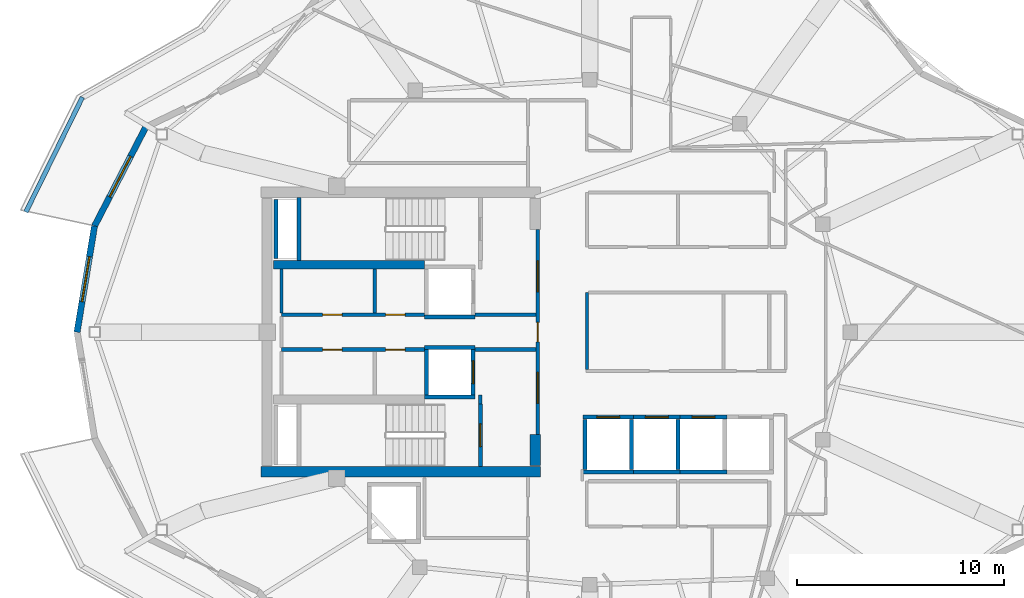
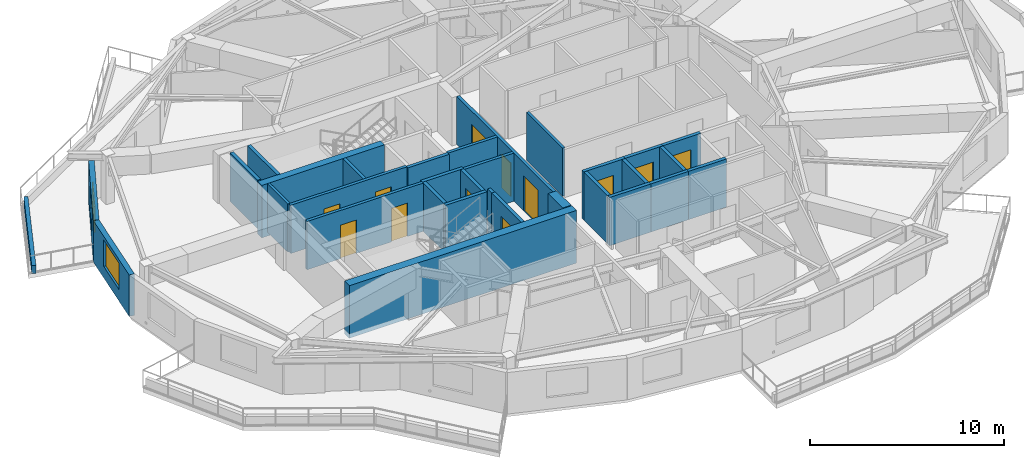
# One storey, part 4 of 11: 32 walls, 12 doors, 2 windows, 14 openings.
"""IFC4 building model written with IfcOpenShell, lengths in metres."""

from ifc_helpers import new_model, si_unit, direction, frame, frame_2d, origin, place, context, subcontext, project, spatial, rectangle, extrude, material, layer, layer_set, type_object, element, fill, save


model = new_model("IFC4")

# Units and contexts
model_context = context("Model", 3, precision=1e-05, world=origin(), true_north=direction((0.0, 1.0)))
body_context = subcontext(model_context, "Body", "Model", "MODEL_VIEW")
ifc_project = project(units=[si_unit("LENGTHUNIT", "METRE"), si_unit("AREAUNIT", "SQUARE_METRE"), si_unit("VOLUMEUNIT", "CUBIC_METRE"), si_unit("PLANEANGLEUNIT", "RADIAN"), si_unit("MASSUNIT", "GRAM", prefix="KILO")], contexts=[model_context])

# Site, building, storey
site_placement = place(None, origin())
site = spatial("IfcSite", under=ifc_project, at=site_placement, CompositionType="ELEMENT")
building_placement = place(site_placement, origin())
building = spatial("IfcBuilding", under=site, at=building_placement, Name="Kolvaren Gate Tower and Convention Centre", CompositionType="ELEMENT")
storey_placement = place(building_placement, frame((0.0, 0.0, 236.0)))
storey = spatial("IfcBuildingStorey", under=building, at=storey_placement, Name="L63", CompositionType="ELEMENT", Elevation=236.0)

# Wall
ifc_material_1 = material(Name="Autoclaved Aerated Masonry Blockwork Class 4 (4.0 MPa)", Category="masonry")
ifc_layer_1 = layer(ifc_material_1, 0.179931640625)
ifc_layer_set_1 = layer_set([ifc_layer_1], Name="Autoclaved Aerated Masonry Blockwork Class 4 (4.0 MPa)")
wall_type_1 = type_object("IfcWallType", Name="ARCH-WL-COMP-180", PredefinedType="SOLIDWALL", material=ifc_layer_set_1)
wall_1_placement = place(storey_placement, frame((24.85009765625, 23.5400390625, 0.0), z_axis=(0.0, 0.0, 1.0), x_axis=(0.0, 1.0, 0.0)))
element("IfcWall", 1, at=wall_1_placement, inside=storey, type_object=wall_type_1, Name="Interior Partition WL-L63-INT-001", PredefinedType="SOLIDWALL", context=body_context, shape_type="SweptSolid", body=[
    extrude(rectangle(XDim=0.419921875, YDim=0.179931640625, at=frame_2d((0.2099609375, 0.0))), origin(), (0.0, 0.0, 1.0), 3.030029296875),
])

# Wall, openings, doors
wall_2_placement = place(storey_placement, frame((27.6201171875, 22.050048828125, 0.0), z_axis=(0.0, 0.0, 1.0), x_axis=(0.0, 1.0, 0.0)))
wall_2 = element("IfcWall", 2, at=wall_2_placement, inside=storey, type_object=wall_type_1, Name="Interior Partition WL-L63-INT-003", PredefinedType="SOLIDWALL", context=body_context, shape_type="SweptSolid", body=[
    extrude(rectangle(XDim=9.89990234375, YDim=0.179931640625, at=frame_2d((4.949951171875, 0.0))), origin(), (0.0, 0.0, 1.0), 3.030029296875),
])
opening_1_placement = place(wall_2_placement, frame((4.47509765625, 0.0, 0.0)))
opening_1 = element("IfcOpeningElement", 3, at=opening_1_placement, cuts=wall_2, Name="Opening DR-01", PredefinedType="OPENING", context=body_context, shape_type="SweptSolid", body=[
    extrude(rectangle(XDim=0.949951171875, YDim=2.10009765625, at=frame_2d((0.47509765625, 1.050048828125))), frame((0.0, 0.099853515625, 0.0), z_axis=(0.0, -1.0, 0.0), x_axis=(1.0, 0.0, 0.0)), (0.0, 0.0, 1.0), 0.199951171875),
])
opening_2_placement = place(wall_2_placement, frame((6.889892578125, 0.0, 0.0)))
opening_2 = element("IfcOpeningElement", 4, at=opening_2_placement, cuts=wall_2, Name="Opening DL-01", PredefinedType="OPENING", context=body_context, shape_type="SweptSolid", body=[
    extrude(rectangle(XDim=1.5, YDim=2.199951171875, at=frame_2d((0.75, 1.10009765625))), frame((0.0, 0.099853515625, 0.0), z_axis=(0.0, -1.0, 0.0), x_axis=(1.0, 0.0, 0.0)), (0.0, 0.0, 1.0), 0.199951171875),
])
opening_3_placement = place(wall_2_placement, frame((1.510009765625, 0.0, 0.0)))
opening_3 = element("IfcOpeningElement", 5, at=opening_3_placement, cuts=wall_2, Name="Opening DL-01", PredefinedType="OPENING", context=body_context, shape_type="SweptSolid", body=[
    extrude(rectangle(XDim=1.5, YDim=2.199951171875, at=frame_2d((0.75, 1.10009765625))), frame((0.0, 0.099853515625, 0.0), z_axis=(0.0, -1.0, 0.0), x_axis=(1.0, 0.0, 0.0)), (0.0, 0.0, 1.0), 0.199951171875),
])
ifc_material_2 = material(Name="Painted Architectural Steelwork ASTM A500 Grade C 345 MPa", Category="steel")
door_type_1 = type_object("IfcDoorType", Name="ARCH-DR-LOBBY-1500", OperationType="DOUBLE_DOOR_SINGLE_SWING", PredefinedType="DOOR", material=ifc_material_2)
door_1_placement = place(opening_2_placement, origin())
door_1 = element("IfcDoor", 6, at=door_1_placement, inside=storey, type_object=door_type_1, Name="North Firefighting Stair and Lift Lobby Door", OperationType="DOUBLE_DOOR_SINGLE_SWING", OverallHeight=2.199951171875, OverallWidth=1.5, PredefinedType="DOOR", context=body_context, shape_type="SweptSolid", body=[
    extrude(rectangle(XDim=1.5, YDim=2.199951171875, at=frame_2d((0.75, 1.10009765625))), frame((0.0, 0.02490234375, 0.0), z_axis=(0.0, -1.0, 0.0), x_axis=(1.0, 0.0, 0.0)), (0.0, 0.0, 1.0), 0.050048828125),
])
fill(opening_2, door_1)
door_2_placement = place(opening_3_placement, origin())
door_2 = element("IfcDoor", 7, at=door_2_placement, inside=storey, type_object=door_type_1, Name="South Firefighting Stair and Lift Lobby Door", OperationType="DOUBLE_DOOR_SINGLE_SWING", OverallHeight=2.199951171875, OverallWidth=1.5, PredefinedType="DOOR", context=body_context, shape_type="SweptSolid", body=[
    extrude(rectangle(XDim=1.5, YDim=2.199951171875, at=frame_2d((0.75, 1.10009765625))), frame((0.0, 0.02490234375, 0.0), z_axis=(0.0, -1.0, 0.0), x_axis=(1.0, 0.0, 0.0)), (0.0, 0.0, 1.0), 0.050048828125),
])
fill(opening_3, door_2)
door_type_2 = type_object("IfcDoorType", Name="ARCH-DR-RISER-950", OperationType="SINGLE_SWING_RIGHT", PredefinedType="DOOR", material=ifc_material_2)
door_3_placement = place(opening_1_placement, origin())
door_3 = element("IfcDoor", 8, at=door_3_placement, inside=storey, type_object=door_type_2, Name="Central MEP Service Corridor Door", OperationType="SINGLE_SWING_LEFT", OverallHeight=2.10009765625, OverallWidth=0.949951171875, PredefinedType="DOOR", context=body_context, shape_type="SweptSolid", body=[
    extrude(rectangle(XDim=0.949951171875, YDim=2.10009765625, at=frame_2d((0.47509765625, 1.050048828125))), frame((0.0, 0.02490234375, 0.0), z_axis=(0.0, -1.0, 0.0), x_axis=(1.0, 0.0, 0.0)), (0.0, 0.0, 1.0), 0.050048828125),
])
fill(opening_1, door_3)

wall_3_placement = place(storey_placement, frame((15.25, 27.840087890625, 0.0), z_axis=(0.0, 0.0, 1.0), x_axis=(1.0, 0.0, 0.0)))
wall_3 = element("IfcWall", 9, at=wall_3_placement, inside=storey, type_object=wall_type_1, Name="Interior Partition WL-L63-INT-004", PredefinedType="SOLIDWALL", context=body_context, shape_type="SweptSolid", body=[
    extrude(rectangle(XDim=6.89990234375, YDim=0.179931640625, at=frame_2d((3.449951171875, 0.0))), origin(), (0.0, 0.0, 1.0), 3.030029296875),
])
opening_4_placement = place(wall_3_placement, frame((5.02001953125, 0.0, 0.0)))
opening_4 = element("IfcOpeningElement", 10, at=opening_4_placement, cuts=wall_3, Name="Opening DR-01", PredefinedType="OPENING", context=body_context, shape_type="SweptSolid", body=[
    extrude(rectangle(XDim=0.949951171875, YDim=2.10009765625, at=frame_2d((0.47509765625, 1.050048828125))), frame((0.0, 0.099853515625, 0.0), z_axis=(0.0, -1.0, 0.0), x_axis=(1.0, 0.0, 0.0)), (0.0, 0.0, 1.0), 0.199951171875),
])
opening_5_placement = place(wall_3_placement, frame((1.97998046875, 0.0, 0.0)))
opening_5 = element("IfcOpeningElement", 11, at=opening_5_placement, cuts=wall_3, Name="Opening DR-01", PredefinedType="OPENING", context=body_context, shape_type="SweptSolid", body=[
    extrude(rectangle(XDim=0.949951171875, YDim=2.10009765625, at=frame_2d((0.47509765625, 1.050048828125))), frame((0.0, 0.099853515625, 0.0), z_axis=(0.0, -1.0, 0.0), x_axis=(1.0, 0.0, 0.0)), (0.0, 0.0, 1.0), 0.199951171875),
])
door_4_placement = place(opening_4_placement, origin())
door_4 = element("IfcDoor", 12, at=door_4_placement, inside=storey, type_object=door_type_2, Name="Electrical Switchgear Closet Door", OperationType="SINGLE_SWING_RIGHT", OverallHeight=2.10009765625, OverallWidth=0.949951171875, PredefinedType="DOOR", context=body_context, shape_type="SweptSolid", body=[
    extrude(rectangle(XDim=0.949951171875, YDim=2.10009765625, at=frame_2d((0.47509765625, 1.050048828125))), frame((0.0, 0.02490234375, 0.0), z_axis=(0.0, -1.0, 0.0), x_axis=(1.0, 0.0, 0.0)), (0.0, 0.0, 1.0), 0.050048828125),
])
fill(opening_4, door_4)
door_5_placement = place(opening_5_placement, origin())
door_5 = element("IfcDoor", 13, at=door_5_placement, inside=storey, type_object=door_type_2, Name="Staff Powder Washroom Door", OperationType="SINGLE_SWING_RIGHT", OverallHeight=2.10009765625, OverallWidth=0.949951171875, PredefinedType="DOOR", context=body_context, shape_type="SweptSolid", body=[
    extrude(rectangle(XDim=0.949951171875, YDim=2.10009765625, at=frame_2d((0.47509765625, 1.050048828125))), frame((0.0, 0.02490234375, 0.0), z_axis=(0.0, -1.0, 0.0), x_axis=(1.0, 0.0, 0.0)), (0.0, 0.0, 1.0), 0.050048828125),
])
fill(opening_5, door_5)

# Wall
wall_4_placement = place(storey_placement, frame((24.60009765625, 27.840087890625, 0.0), z_axis=(0.0, 0.0, 1.0), x_axis=(1.0, 0.0, 0.0)))
element("IfcWall", 14, at=wall_4_placement, inside=storey, type_object=wall_type_1, Name="Interior Partition WL-L63-INT-004 (2)", PredefinedType="SOLIDWALL", context=body_context, shape_type="SweptSolid", body=[
    extrude(rectangle(XDim=2.927978515625, YDim=0.179931640625, at=frame_2d((1.4638671875, 0.0))), origin(), (0.0, 0.0, 1.0), 3.030029296875),
])

# Wall, openings, doors
wall_5_placement = place(storey_placement, frame((15.25, 26.159912109375, 0.0), z_axis=(0.0, 0.0, 1.0), x_axis=(1.0, 0.0, 0.0)))
wall_5 = element("IfcWall", 15, at=wall_5_placement, inside=storey, type_object=wall_type_1, Name="Interior Partition WL-L63-INT-005", PredefinedType="SOLIDWALL", context=body_context, shape_type="SweptSolid", body=[
    extrude(rectangle(XDim=6.89990234375, YDim=0.179931640625, at=frame_2d((3.449951171875, 0.0))), origin(), (0.0, 0.0, 1.0), 3.030029296875),
])
opening_6_placement = place(wall_5_placement, frame((5.02001953125, 0.0, 0.0)))
opening_6 = element("IfcOpeningElement", 16, at=opening_6_placement, cuts=wall_5, Name="Opening DR-01", PredefinedType="OPENING", context=body_context, shape_type="SweptSolid", body=[
    extrude(rectangle(XDim=0.949951171875, YDim=2.10009765625, at=frame_2d((0.47509765625, 1.050048828125))), frame((0.0, 0.099853515625, 0.0), z_axis=(0.0, -1.0, 0.0), x_axis=(1.0, 0.0, 0.0)), (0.0, 0.0, 1.0), 0.199951171875),
])
opening_7_placement = place(wall_5_placement, frame((1.97998046875, 0.0, 0.0)))
opening_7 = element("IfcOpeningElement", 17, at=opening_7_placement, cuts=wall_5, Name="Opening DR-01", PredefinedType="OPENING", context=body_context, shape_type="SweptSolid", body=[
    extrude(rectangle(XDim=0.949951171875, YDim=2.10009765625, at=frame_2d((0.47509765625, 1.050048828125))), frame((0.0, 0.099853515625, 0.0), z_axis=(0.0, -1.0, 0.0), x_axis=(1.0, 0.0, 0.0)), (0.0, 0.0, 1.0), 0.199951171875),
])
door_6_placement = place(opening_6_placement, origin())
door_6 = element("IfcDoor", 18, at=door_6_placement, inside=storey, type_object=door_type_2, Name="Domestic Water Meter Closet Door", OperationType="SINGLE_SWING_LEFT", OverallHeight=2.10009765625, OverallWidth=0.949951171875, PredefinedType="DOOR", context=body_context, shape_type="SweptSolid", body=[
    extrude(rectangle(XDim=0.949951171875, YDim=2.10009765625, at=frame_2d((0.47509765625, 1.050048828125))), frame((0.0, 0.02490234375, 0.0), z_axis=(0.0, -1.0, 0.0), x_axis=(1.0, 0.0, 0.0)), (0.0, 0.0, 1.0), 0.050048828125),
])
fill(opening_6, door_6)
door_7_placement = place(opening_7_placement, origin())
door_7 = element("IfcDoor", 19, at=door_7_placement, inside=storey, type_object=door_type_2, Name="Janitor Equipment Store Door", OperationType="SINGLE_SWING_LEFT", OverallHeight=2.10009765625, OverallWidth=0.949951171875, PredefinedType="DOOR", context=body_context, shape_type="SweptSolid", body=[
    extrude(rectangle(XDim=0.949951171875, YDim=2.10009765625, at=frame_2d((0.47509765625, 1.050048828125))), frame((0.0, 0.02490234375, 0.0), z_axis=(0.0, -1.0, 0.0), x_axis=(1.0, 0.0, 0.0)), (0.0, 0.0, 1.0), 0.050048828125),
])
fill(opening_7, door_7)

# Walls
wall_6_placement = place(storey_placement, frame((24.60009765625, 26.159912109375, 0.0), z_axis=(0.0, 0.0, 1.0), x_axis=(1.0, 0.0, 0.0)))
element("IfcWall", 20, at=wall_6_placement, inside=storey, type_object=wall_type_1, Name="Interior Partition WL-L63-INT-005 (2)", PredefinedType="SOLIDWALL", context=body_context, shape_type="SweptSolid", body=[
    extrude(rectangle(XDim=2.927978515625, YDim=0.179931640625, at=frame_2d((1.4638671875, 0.0))), origin(), (0.0, 0.0, 1.0), 3.030029296875),
])
wall_7_placement = place(storey_placement, frame((19.75, 27.931884765625, 0.0), z_axis=(0.0, 0.0, 1.0), x_axis=(0.0, 1.0, 0.0)))
element("IfcWall", 21, at=wall_7_placement, inside=storey, type_object=wall_type_1, Name="Interior Partition WL-L63-INT-008", PredefinedType="SOLIDWALL", context=body_context, shape_type="SweptSolid", body=[
    extrude(rectangle(XDim=2.106201171875, YDim=0.179931640625, at=frame_2d((1.05322265625, 0.0))), origin(), (0.0, 0.0, 1.0), 3.030029296875),
])
ifc_material_3 = material(Name="Piedmont Cream Honed Limestone Cladding", Category="masonry")
ifc_layer_2 = layer(ifc_material_3, 0.219970703125)
ifc_layer_set_2 = layer_set([ifc_layer_2], Name="Piedmont Cream Honed Limestone Cladding")
wall_type_2 = type_object("IfcWallType", Name="ARCH-WL-PLANTER-220", PredefinedType="PARAPET", material=ifc_layer_set_2)
wall_8_placement = place(storey_placement, frame((2.905517578125, 32.8037109375, 0.0), z_axis=(0.0, 0.0, 1.0), x_axis=(0.441640961804, 0.897191875162, 0.0)))
element("IfcWall", 22, at=wall_8_placement, inside=storey, type_object=wall_type_2, Name="Vertical-Forest Balcony Stone Planter Kerb PK-L63-1.3", PredefinedType="PARAPET", context=body_context, shape_type="SweptSolid", body=[
    extrude(rectangle(XDim=6.17822265625, YDim=0.219970703125, at=frame_2d((3.089111328125, 0.0))), origin(), (0.0, 0.0, 1.0), 0.52001953125),
])
ifc_layer_3 = layer(ifc_material_1, 0.199951171875)
ifc_layer_set_3 = layer_set([ifc_layer_3], Name="Autoclaved Aerated Masonry Blockwork Class 4 (4.0 MPa)")
wall_type_3 = type_object("IfcWallType", Name="ARCH-WL-SHAFT-200", PredefinedType="SOLIDWALL", material=ifc_layer_set_3)
for number, where, z_axis, x_axis, name in (
    (23, (22.14990234375, 27.739990234375, 0.0), (0.0, 0.0, 1.0), (1.0, 0.0, 0.0), "Elevator FF-01 L63 Fire Shaft Wall S"),
    (24, (22.14990234375, 26.260009765625, 0.0), (0.0, 0.0, 1.0), (1.0, 0.0, 0.0), "Elevator FF-02 L63 Fire Shaft Wall N"),
    (25, (22.14990234375, 23.860107421875, 0.0), (0.0, 0.0, 1.0), (1.0, 0.0, 0.0), "Elevator FF-02 L63 Fire Shaft Wall S"),
):
    element("IfcWall", number, at=place(storey_placement, frame(where, z_axis=z_axis, x_axis=x_axis)), inside=storey, type_object=wall_type_3, Name=name, PredefinedType="SOLIDWALL", context=body_context, shape_type="SweptSolid", body=[
        extrude(rectangle(XDim=2.4501953125, YDim=0.199951171875, at=frame_2d((1.22509765625, 0.0))), origin(), (0.0, 0.0, 1.0), 3.030029296875),
    ])
wall_9_placement = place(storey_placement, frame((22.25, 23.969970703125, 0.0), z_axis=(0.0, 0.0, 1.0), x_axis=(0.0, 1.0, 0.0)))
element("IfcWall", 26, at=wall_9_placement, inside=storey, type_object=wall_type_3, Name="Elevator FF-02 L63 Fire Shaft Wall W", PredefinedType="SOLIDWALL", context=body_context, shape_type="SweptSolid", body=[
    extrude(rectangle(XDim=2.179931640625, YDim=0.199951171875, at=frame_2d((1.08984375, 0.0))), origin(), (0.0, 0.0, 1.0), 3.030029296875),
])

# Wall, opening, door
wall_10_placement = place(storey_placement, frame((24.5, 23.969970703125, 0.0), z_axis=(0.0, 0.0, 1.0), x_axis=(0.0, 1.0, 0.0)))
wall_10 = element("IfcWall", 27, at=wall_10_placement, inside=storey, type_object=wall_type_3, Name="Elevator FF-02 L63 Fire Shaft Wall E", PredefinedType="SOLIDWALL", context=body_context, shape_type="SweptSolid", body=[
    extrude(rectangle(XDim=2.179931640625, YDim=0.199951171875, at=frame_2d((1.08984375, 0.0))), origin(), (0.0, 0.0, 1.0), 3.030029296875),
])
opening_8_placement = place(wall_10_placement, frame((0.5400390625, 0.0, 0.0)))
opening_8 = element("IfcOpeningElement", 28, at=opening_8_placement, cuts=wall_10, Name="Opening LD", PredefinedType="OPENING", context=body_context, shape_type="SweptSolid", body=[
    extrude(rectangle(XDim=1.10009765625, YDim=2.199951171875, at=frame_2d((0.550048828125, 1.10009765625))), frame((0.0, 0.10986328125, 0.0), z_axis=(0.0, -1.0, 0.0), x_axis=(1.0, 0.0, 0.0)), (0.0, 0.0, 1.0), 0.219970703125),
])
ifc_material_4 = material(Name="Brushed Stainless Steel Grade 316L", Category="steel")
door_type_3 = type_object("IfcDoorType", Name="ARCH-DR-LIFT-1100", OperationType="SLIDING_TO_LEFT", PredefinedType="DOOR", material=ifc_material_4)
door_8_placement = place(opening_8_placement, origin())
door_8 = element("IfcDoor", 29, at=door_8_placement, inside=storey, type_object=door_type_3, Name="Elevator FF-02 L63 Sliding Landing Door", OperationType="SLIDING_TO_LEFT", OverallHeight=2.199951171875, OverallWidth=1.10009765625, PredefinedType="DOOR", context=body_context, shape_type="SweptSolid", body=[
    extrude(rectangle(XDim=1.10009765625, YDim=2.199951171875, at=frame_2d((0.550048828125, 1.10009765625))), frame((0.0, 0.02490234375, 0.0), z_axis=(0.0, -1.0, 0.0), x_axis=(1.0, 0.0, 0.0)), (0.0, 0.0, 1.0), 0.050048828125),
])
fill(opening_8, door_8)

wall_11_placement = place(storey_placement, frame((29.800048828125, 22.89990234375, 0.0), z_axis=(0.0, 0.0, 1.0), x_axis=(1.0, 0.0, 0.0)))
wall_11 = element("IfcWall", 30, at=wall_11_placement, inside=storey, type_object=wall_type_3, Name="Elevator PL-09 L63 Fire Shaft Wall N", PredefinedType="SOLIDWALL", context=body_context, shape_type="SweptSolid", body=[
    extrude(rectangle(XDim=2.449951171875, YDim=0.199951171875, at=frame_2d((1.22509765625, 0.0))), origin(), (0.0, 0.0, 1.0), 3.030029296875),
])
opening_9_placement = place(wall_11_placement, frame((0.675048828125, 0.0, 0.0)))
opening_9 = element("IfcOpeningElement", 31, at=opening_9_placement, cuts=wall_11, Name="Opening LD", PredefinedType="OPENING", context=body_context, shape_type="SweptSolid", body=[
    extrude(rectangle(XDim=1.10009765625, YDim=2.199951171875, at=frame_2d((0.550048828125, 1.10009765625))), frame((0.0, 0.10986328125, 0.0), z_axis=(0.0, -1.0, 0.0), x_axis=(1.0, 0.0, 0.0)), (0.0, 0.0, 1.0), 0.219970703125),
])
door_9_placement = place(opening_9_placement, origin())
door_9 = element("IfcDoor", 32, at=door_9_placement, inside=storey, type_object=door_type_3, Name="Elevator PL-09 L63 Sliding Landing Door", OperationType="SLIDING_TO_LEFT", OverallHeight=2.199951171875, OverallWidth=1.10009765625, PredefinedType="DOOR", context=body_context, shape_type="SweptSolid", body=[
    extrude(rectangle(XDim=1.10009765625, YDim=2.199951171875, at=frame_2d((0.550048828125, 1.10009765625))), frame((0.0, 0.02490234375, 0.0), z_axis=(0.0, -1.0, 0.0), x_axis=(1.0, 0.0, 0.0)), (0.0, 0.0, 1.0), 0.050048828125),
])
fill(opening_9, door_9)

# Walls
wall_12_placement = place(storey_placement, frame((29.800048828125, 20.25, 0.0), z_axis=(0.0, 0.0, 1.0), x_axis=(1.0, 0.0, 0.0)))
element("IfcWall", 33, at=wall_12_placement, inside=storey, type_object=wall_type_3, Name="Elevator PL-09 L63 Fire Shaft Wall S", PredefinedType="SOLIDWALL", context=body_context, shape_type="SweptSolid", body=[
    extrude(rectangle(XDim=2.449951171875, YDim=0.199951171875, at=frame_2d((1.22509765625, 0.0))), origin(), (0.0, 0.0, 1.0), 3.030029296875),
])
for number, where, z_axis, x_axis, name in (
    (34, (29.89990234375, 20.360107421875, 0.0), (0.0, 0.0, 1.0), (0.0, 1.0, 0.0), "Elevator PL-09 L63 Fire Shaft Wall W"),
    (35, (32.14990234375, 20.360107421875, 0.0), (0.0, 0.0, 1.0), (0.0, 1.0, 0.0), "Elevator PL-09 L63 Fire Shaft Wall E"),
):
    element("IfcWall", number, at=place(storey_placement, frame(where, z_axis=z_axis, x_axis=x_axis)), inside=storey, type_object=wall_type_3, Name=name, PredefinedType="SOLIDWALL", context=body_context, shape_type="SweptSolid", body=[
        extrude(rectangle(XDim=2.429931640625, YDim=0.199951171875, at=frame_2d((1.21484375, 0.0))), origin(), (0.0, 0.0, 1.0), 3.030029296875),
    ])

# Wall, opening, door
wall_13_placement = place(storey_placement, frame((32.25, 22.89990234375, 0.0), z_axis=(0.0, 0.0, 1.0), x_axis=(1.0, 0.0, 0.0)))
wall_13 = element("IfcWall", 36, at=wall_13_placement, inside=storey, type_object=wall_type_3, Name="Elevator PL-10 L63 Fire Shaft Wall N", PredefinedType="SOLIDWALL", context=body_context, shape_type="SweptSolid", body=[
    extrude(rectangle(XDim=2.25, YDim=0.199951171875, at=frame_2d((1.125, 0.0))), origin(), (0.0, 0.0, 1.0), 3.030029296875),
])
opening_10_placement = place(wall_13_placement, frame((0.574951171875, 0.0, 0.0)))
opening_10 = element("IfcOpeningElement", 37, at=opening_10_placement, cuts=wall_13, Name="Opening LD", PredefinedType="OPENING", context=body_context, shape_type="SweptSolid", body=[
    extrude(rectangle(XDim=1.10009765625, YDim=2.199951171875, at=frame_2d((0.550048828125, 1.10009765625))), frame((0.0, 0.10986328125, 0.0), z_axis=(0.0, -1.0, 0.0), x_axis=(1.0, 0.0, 0.0)), (0.0, 0.0, 1.0), 0.219970703125),
])
door_10_placement = place(opening_10_placement, origin())
door_10 = element("IfcDoor", 38, at=door_10_placement, inside=storey, type_object=door_type_3, Name="Elevator PL-10 L63 Sliding Landing Door", OperationType="SLIDING_TO_LEFT", OverallHeight=2.199951171875, OverallWidth=1.10009765625, PredefinedType="DOOR", context=body_context, shape_type="SweptSolid", body=[
    extrude(rectangle(XDim=1.10009765625, YDim=2.199951171875, at=frame_2d((0.550048828125, 1.10009765625))), frame((0.0, 0.02490234375, 0.0), z_axis=(0.0, -1.0, 0.0), x_axis=(1.0, 0.0, 0.0)), (0.0, 0.0, 1.0), 0.050048828125),
])
fill(opening_10, door_10)

# Walls
wall_14_placement = place(storey_placement, frame((32.25, 20.25, 0.0), z_axis=(0.0, 0.0, 1.0), x_axis=(1.0, 0.0, 0.0)))
element("IfcWall", 39, at=wall_14_placement, inside=storey, type_object=wall_type_3, Name="Elevator PL-10 L63 Fire Shaft Wall S", PredefinedType="SOLIDWALL", context=body_context, shape_type="SweptSolid", body=[
    extrude(rectangle(XDim=2.25, YDim=0.199951171875, at=frame_2d((1.125, 0.0))), origin(), (0.0, 0.0, 1.0), 3.030029296875),
])
wall_15_placement = place(storey_placement, frame((34.39990234375, 20.360107421875, 0.0), z_axis=(0.0, 0.0, 1.0), x_axis=(0.0, 1.0, 0.0)))
element("IfcWall", 40, at=wall_15_placement, inside=storey, type_object=wall_type_3, Name="Elevator PL-10 L63 Fire Shaft Wall E", PredefinedType="SOLIDWALL", context=body_context, shape_type="SweptSolid", body=[
    extrude(rectangle(XDim=2.429931640625, YDim=0.199951171875, at=frame_2d((1.21484375, 0.0))), origin(), (0.0, 0.0, 1.0), 3.030029296875),
])

# Wall, opening, door
wall_16_placement = place(storey_placement, frame((34.5, 22.89990234375, 0.0), z_axis=(0.0, 0.0, 1.0), x_axis=(1.0, 0.0, 0.0)))
wall_16 = element("IfcWall", 41, at=wall_16_placement, inside=storey, type_object=wall_type_3, Name="Elevator PL-11 L63 Fire Shaft Wall N", PredefinedType="SOLIDWALL", context=body_context, shape_type="SweptSolid", body=[
    extrude(rectangle(XDim=2.25, YDim=0.199951171875, at=frame_2d((1.125, 0.0))), origin(), (0.0, 0.0, 1.0), 3.030029296875),
])
opening_11_placement = place(wall_16_placement, frame((0.574951171875, 0.0, 0.0)))
opening_11 = element("IfcOpeningElement", 42, at=opening_11_placement, cuts=wall_16, Name="Opening LD", PredefinedType="OPENING", context=body_context, shape_type="SweptSolid", body=[
    extrude(rectangle(XDim=1.10009765625, YDim=2.199951171875, at=frame_2d((0.550048828125, 1.10009765625))), frame((0.0, 0.10986328125, 0.0), z_axis=(0.0, -1.0, 0.0), x_axis=(1.0, 0.0, 0.0)), (0.0, 0.0, 1.0), 0.219970703125),
])
door_11_placement = place(opening_11_placement, origin())
door_11 = element("IfcDoor", 43, at=door_11_placement, inside=storey, type_object=door_type_3, Name="Elevator PL-11 L63 Sliding Landing Door", OperationType="SLIDING_TO_LEFT", OverallHeight=2.199951171875, OverallWidth=1.10009765625, PredefinedType="DOOR", context=body_context, shape_type="SweptSolid", body=[
    extrude(rectangle(XDim=1.10009765625, YDim=2.199951171875, at=frame_2d((0.550048828125, 1.10009765625))), frame((0.0, 0.02490234375, 0.0), z_axis=(0.0, -1.0, 0.0), x_axis=(1.0, 0.0, 0.0)), (0.0, 0.0, 1.0), 0.050048828125),
])
fill(opening_11, door_11)

# Walls
wall_17_placement = place(storey_placement, frame((34.5, 20.25, 0.0), z_axis=(0.0, 0.0, 1.0), x_axis=(1.0, 0.0, 0.0)))
element("IfcWall", 44, at=wall_17_placement, inside=storey, type_object=wall_type_3, Name="Elevator PL-11 L63 Fire Shaft Wall S", PredefinedType="SOLIDWALL", context=body_context, shape_type="SweptSolid", body=[
    extrude(rectangle(XDim=2.25, YDim=0.199951171875, at=frame_2d((1.125, 0.0))), origin(), (0.0, 0.0, 1.0), 3.030029296875),
])
wall_18_placement = place(storey_placement, frame((14.989990234375, 30.550048828125, 0.0), z_axis=(0.0, 0.0, 1.0), x_axis=(0.0, 1.0, 0.0)))
element("IfcWall", 45, at=wall_18_placement, inside=storey, type_object=wall_type_3, Name="Vertical Shaft HVR L63 EI-120 Enclosure Wall W", PredefinedType="SOLIDWALL", context=body_context, shape_type="SweptSolid", body=[
    extrude(rectangle(XDim=2.849853515625, YDim=0.199951171875, at=frame_2d((1.4248046875, 0.0))), origin(), (0.0, 0.0, 1.0), 3.030029296875),
])

# Wall, opening, window
ifc_layer_4 = layer(ifc_material_3, 0.300048828125)
ifc_layer_set_4 = layer_set([ifc_layer_4], Name="Piedmont Cream Honed Limestone Cladding")
wall_type_4 = type_object("IfcWallType", Name="ARCH-WL-STONE-300", PredefinedType="SOLIDWALL", material=ifc_layer_set_4)
wall_19_placement = place(storey_placement, frame((6.21826171875, 32.12451171875, 0.0), z_axis=(0.0, 0.0, 1.0), x_axis=(0.459808219482, 0.888018243786, 0.0)))
wall_19 = element("IfcWall", 46, at=wall_19_placement, inside=storey, type_object=wall_type_4, Name="Tower L63 Honed Stone Spandrel Wall EW-10", PredefinedType="SOLIDWALL", context=body_context, shape_type="SweptSolid", body=[
    extrude(rectangle(XDim=5.377685546875, YDim=0.300048828125, at=frame_2d((2.68896484375, 0.0))), origin(), (0.0, 0.0, 1.0), 2.60498046875),
])
opening_12_placement = place(wall_19_placement, frame((1.589111328125, 0.0, 0.719970703125)))
opening_12 = element("IfcOpeningElement", 47, at=opening_12_placement, cuts=wall_19, Name="Opening W-03", PredefinedType="OPENING", context=body_context, shape_type="SweptSolid", body=[
    extrude(rectangle(XDim=2.199951171875, YDim=1.64990234375, at=frame_2d((1.10009765625, 0.824951171875))), frame((0.0, 0.159912109375, 0.0), z_axis=(0.0, -1.0, 0.0), x_axis=(1.0, 0.0, 0.0)), (0.0, 0.0, 1.0), 0.320068359375),
])
ifc_material_5 = material(Name="Low-E Triple Insulated Glazing Unit 44 mm", Category="glass")
window_type = type_object("IfcWindowType", Name="ARCH-WN-RES-2200", PartitioningType="SINGLE_PANEL", PredefinedType="WINDOW", material=ifc_material_5)
window_1_placement = place(opening_12_placement, origin())
window_1 = element("IfcWindow", 48, at=window_1_placement, inside=storey, type_object=window_type, Name="Tower L63 Punched Stone Facade Window W-10", OverallHeight=1.64990234375, OverallWidth=2.199951171875, PartitioningType="SINGLE_PANEL", PredefinedType="WINDOW", context=body_context, shape_type="SweptSolid", body=[
    extrude(rectangle(XDim=2.199951171875, YDim=1.64990234375, at=frame_2d((1.10009765625, 0.824951171875))), frame((0.0, 0.030029296875, 0.0), z_axis=(0.0, -1.0, 0.0), x_axis=(1.0, 0.0, 0.0)), (0.0, 0.0, 1.0), 0.06005859375),
])
fill(opening_12, window_1)

wall_20_placement = place(storey_placement, frame((5.375, 27.0, 0.0), z_axis=(0.0, 0.0, 1.0), x_axis=(0.16237087798, 0.986729799886, 0.0)))
wall_20 = element("IfcWall", 49, at=wall_20_placement, inside=storey, type_object=wall_type_4, Name="Tower L63 Honed Stone Spandrel Wall EW-11", PredefinedType="SOLIDWALL", context=body_context, shape_type="SweptSolid", body=[
    extrude(rectangle(XDim=5.193359375, YDim=0.300048828125, at=frame_2d((2.5966796875, 0.0))), origin(), (0.0, 0.0, 1.0), 2.60498046875),
])
opening_13_placement = place(wall_20_placement, frame((1.4970703125, 0.0, 0.719970703125)))
opening_13 = element("IfcOpeningElement", 50, at=opening_13_placement, cuts=wall_20, Name="Opening W-03", PredefinedType="OPENING", context=body_context, shape_type="SweptSolid", body=[
    extrude(rectangle(XDim=2.199951171875, YDim=1.64990234375, at=frame_2d((1.10009765625, 0.824951171875))), frame((0.0, 0.159912109375, 0.0), z_axis=(0.0, -1.0, 0.0), x_axis=(1.0, 0.0, 0.0)), (0.0, 0.0, 1.0), 0.320068359375),
])
window_2_placement = place(opening_13_placement, origin())
window_2 = element("IfcWindow", 51, at=window_2_placement, inside=storey, type_object=window_type, Name="Tower L63 Punched Stone Facade Window W-11", OverallHeight=1.64990234375, OverallWidth=2.199951171875, PartitioningType="SINGLE_PANEL", PredefinedType="WINDOW", context=body_context, shape_type="SweptSolid", body=[
    extrude(rectangle(XDim=2.199951171875, YDim=1.64990234375, at=frame_2d((1.10009765625, 0.824951171875))), frame((0.0, 0.030029296875, 0.0), z_axis=(0.0, -1.0, 0.0), x_axis=(1.0, 0.0, 0.0)), (0.0, 0.0, 1.0), 0.06005859375),
])
fill(opening_13, window_2)

# Walls
ifc_material_6 = material(Name="Moisture-Resistant Cement-Board Acoustic Partition", Category="gypsum")
ifc_layer_5 = layer(ifc_material_6, 0.14990234375)
ifc_layer_set_5 = layer_set([ifc_layer_5], Name="Moisture-Resistant Cement-Board Acoustic Partition")
wall_type_5 = type_object("IfcWallType", Name="ARCH-WL-WET-150", PredefinedType="PARTITIONING", material=ifc_layer_set_5)
wall_21_placement = place(storey_placement, frame((15.25, 27.931884765625, 0.0), z_axis=(0.0, 0.0, 1.0), x_axis=(0.0, 1.0, 0.0)))
element("IfcWall", 52, at=wall_21_placement, inside=storey, type_object=wall_type_5, Name="Interior Partition WL-L63-INT-006 (3)", PredefinedType="PARTITIONING", context=body_context, shape_type="SweptSolid", body=[
    extrude(rectangle(XDim=2.106201171875, YDim=0.14990234375, at=frame_2d((1.05322265625, 0.0))), origin(), (0.0, 0.0, 1.0), 3.030029296875),
])
wall_22_placement = place(storey_placement, frame((30.0, 25.197021484375, 0.0), z_axis=(0.0, 0.0, 1.0), x_axis=(0.0, 1.0, 0.0)))
element("IfcWall", 53, at=wall_22_placement, inside=storey, type_object=wall_type_5, Name="Interior Partition WL-L63-INT-015", PredefinedType="PARTITIONING", context=body_context, shape_type="SweptSolid", body=[
    extrude(rectangle(XDim=3.722900390625, YDim=0.14990234375, at=frame_2d((1.861328125, 0.0))), origin(), (0.0, 0.0, 1.0), 3.030029296875),
])
ifc_material_7 = material(Name="Concrete C50/60", Category="concrete")
ifc_layer_6 = layer(ifc_material_7, 0.419921875)
ifc_layer_set_6 = layer_set([ifc_layer_6], Name="Concrete C50/60")
wall_type_6 = type_object("IfcWallType", Name="STR-WL-CONV-420", PredefinedType="SHEAR", material=ifc_layer_set_6)
wall_23_placement = place(storey_placement, frame((14.85009765625, 30.25, -0.27001953125), z_axis=(0.0, 0.0, 1.0), x_axis=(1.0, 0.0, 0.0)))
element("IfcWall", 54, at=wall_23_placement, inside=storey, type_object=wall_type_6, Name="Tower L63 Offset Core Shear Wall WN", PredefinedType="SHEAR", context=body_context, shape_type="SweptSolid", body=[
    extrude(rectangle(XDim=7.2998046875, YDim=0.419921875, at=frame_2d((3.64990234375, 0.0))), origin(), (0.0, 0.0, 1.0), 3.300048828125),
])
ifc_layer_7 = layer(ifc_material_7, 0.5)
ifc_layer_set_7 = layer_set([ifc_layer_7], Name="Concrete C50/60")
wall_type_7 = type_object("IfcWallType", Name="STR-WL-CORE-500", PredefinedType="SHEAR", material=ifc_layer_set_7)
wall_24_placement = place(storey_placement, frame((14.25, 20.25, -0.27001953125), z_axis=(0.0, 0.0, 1.0), x_axis=(1.0, 0.0, 0.0)))
element("IfcWall", 55, at=wall_24_placement, inside=storey, type_object=wall_type_7, Name="Tower L63 Offset Core Shear Wall S", PredefinedType="SHEAR", context=body_context, shape_type="SweptSolid", body=[
    extrude(rectangle(XDim=13.5, YDim=0.5, at=frame_2d((6.75, 0.0))), origin(), (0.0, 0.0, 1.0), 3.300048828125),
])
wall_25_placement = place(storey_placement, frame((27.5, 20.550048828125, -0.27001953125), z_axis=(0.0, 0.0, 1.0), x_axis=(0.0, 1.0, 0.0)))
element("IfcWall", 56, at=wall_25_placement, inside=storey, type_object=wall_type_7, Name="Tower L63 Offset Core Shear Wall ES", PredefinedType="SHEAR", context=body_context, shape_type="SweptSolid", body=[
    extrude(rectangle(XDim=1.5, YDim=0.5, at=frame_2d((0.75, 0.0))), origin(), (0.0, 0.0, 1.0), 3.300048828125),
])
ifc_layer_8 = layer(ifc_material_7, 0.199951171875)
ifc_layer_set_8 = layer_set([ifc_layer_8], Name="Concrete C50/60")
wall_type_8 = type_object("IfcWallType", Name="STR-WL-SHAFT-200", PredefinedType="SHEAR", material=ifc_layer_set_8)
wall_26_placement = place(storey_placement, frame((16.10009765625, 30.4619140625, -0.27001953125), z_axis=(0.0, 0.0, 1.0), x_axis=(0.0, 1.0, 0.0)))
element("IfcWall", 57, at=wall_26_placement, inside=storey, type_object=wall_type_8, Name="Tower North Exit Stair ST-T1 L63 Structural Shear Enclosure Wall FAR", PredefinedType="SHEAR", context=body_context, shape_type="SweptSolid", body=[
    extrude(rectangle(XDim=3.0361328125, YDim=0.199951171875, at=frame_2d((1.51806640625, 0.0))), origin(), (0.0, 0.0, 1.0), 3.300048828125),
])

# Wall, opening, door
wall_27_placement = place(storey_placement, frame((24.85009765625, 20.501953125, -0.27001953125), z_axis=(0.0, 0.0, 1.0), x_axis=(0.0, 1.0, 0.0)))
wall_27 = element("IfcWall", 58, at=wall_27_placement, inside=storey, type_object=wall_type_8, Name="Tower South Exit Stair ST-T2 L63 Structural Shear Enclosure Wall NEAR", PredefinedType="SHEAR", context=body_context, shape_type="SweptSolid", body=[
    extrude(rectangle(XDim=3.0380859375, YDim=0.199951171875, at=frame_2d((1.51904296875, 0.0))), origin(), (0.0, 0.0, 1.0), 3.300048828125),
])
opening_14_placement = place(wall_27_placement, frame((0.968994140625, 0.0, 0.27001953125)))
opening_14 = element("IfcOpeningElement", 59, at=opening_14_placement, cuts=wall_27, Name="Opening DS-01", PredefinedType="OPENING", context=body_context, shape_type="SweptSolid", body=[
    extrude(rectangle(XDim=1.10009765625, YDim=2.14990234375, at=frame_2d((0.550048828125, 1.074951171875))), frame((0.0, 0.10986328125, 0.0), z_axis=(0.0, -1.0, 0.0), x_axis=(1.0, 0.0, 0.0)), (0.0, 0.0, 1.0), 0.219970703125),
])
door_type_4 = type_object("IfcDoorType", Name="ARCH-DR-STAIR-1100", OperationType="SINGLE_SWING_LEFT", PredefinedType="DOOR", material=ifc_material_2)
door_12_placement = place(opening_14_placement, origin())
door_12 = element("IfcDoor", 60, at=door_12_placement, inside=storey, type_object=door_type_4, Name="Tower South Exit Stair ST-T2 L63 Fire Exit Stair Door", OperationType="SINGLE_SWING_LEFT", OverallHeight=2.14990234375, OverallWidth=1.10009765625, PredefinedType="DOOR", context=body_context, shape_type="SweptSolid", body=[
    extrude(rectangle(XDim=1.10009765625, YDim=2.14990234375, at=frame_2d((0.550048828125, 1.074951171875))), frame((0.0, 0.02490234375, 0.0), z_axis=(0.0, -1.0, 0.0), x_axis=(1.0, 0.0, 0.0)), (0.0, 0.0, 1.0), 0.050048828125),
])
fill(opening_14, door_12)

save(model, "model.ifc")
